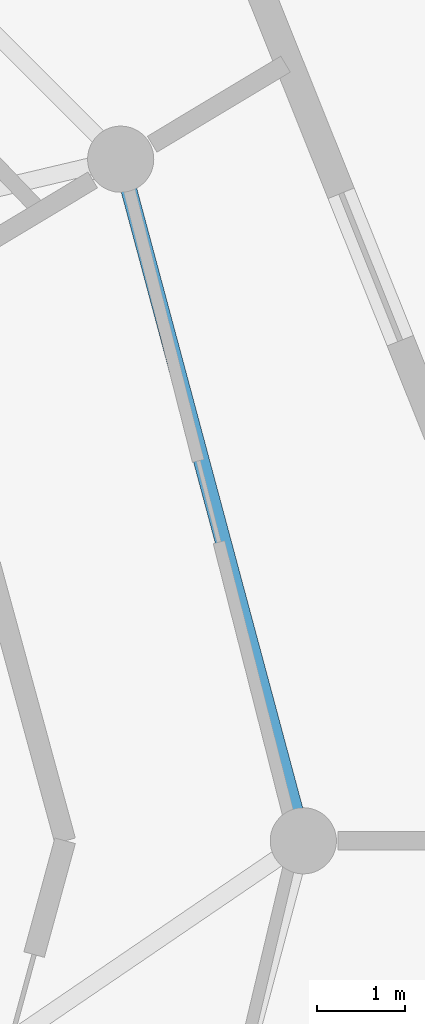
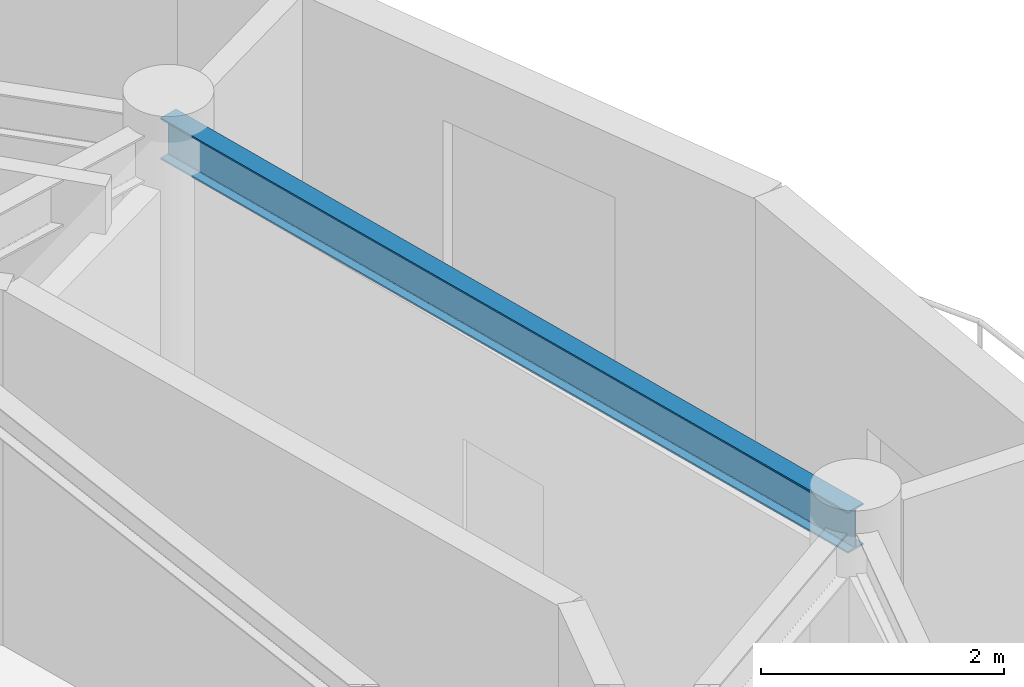
# One storey, part 13 of 22: 1 beam.
"""IFC4 building model written with IfcOpenShell, lengths in metres."""

from ifc_helpers import new_model, si_unit, direction, frame, origin, origin_2d, place, context, subcontext, project, spatial, i_section, extrude, material, material_profile, profile_set, type_object, element, save


model = new_model("IFC4")

# Units and contexts
model_context = context("Model", 3, precision=1e-05, world=origin(), true_north=direction((0.0, 1.0)))
body_context = subcontext(model_context, "Body", "Model", "MODEL_VIEW")
ifc_project = project(units=[si_unit("LENGTHUNIT", "METRE"), si_unit("AREAUNIT", "SQUARE_METRE"), si_unit("VOLUMEUNIT", "CUBIC_METRE"), si_unit("PLANEANGLEUNIT", "RADIAN"), si_unit("MASSUNIT", "GRAM", prefix="KILO")], contexts=[model_context])

# Site, building, storey
site_placement = place(None, origin())
site = spatial("IfcSite", under=ifc_project, at=site_placement, CompositionType="ELEMENT")
building_placement = place(site_placement, origin())
building = spatial("IfcBuilding", under=site, at=building_placement, Name="Solvirekh Grand Hotel", CompositionType="ELEMENT")
storey_placement = place(building_placement, frame((0.0, 0.0, 243.0)))
storey = spatial("IfcBuildingStorey", under=building, at=storey_placement, Name="L63", CompositionType="ELEMENT", Elevation=243.0)

# Beam
ifc_material = material(Name="Steel S355", Category="steel")
ifc_material_profile = material_profile(ifc_material, i_section(OverallWidth=0.180908203125, OverallDepth=0.4169921875, WebThickness=0.010009765625, FlangeThickness=0.01611328125, FilletRadius=0.011962890625, at=origin_2d()), Name="W410X85")
ifc_profile_set = profile_set([ifc_material_profile], Name="Steel S355")
beam_type = type_object("IfcBeamType", Name="Spandrel_Ring_W410", PredefinedType="SPANDREL", material=ifc_profile_set)
beam_placement = place(storey_placement, frame((15.449951171875, 0.0, 3.362060546875), z_axis=(-0.258834757072, 0.965921616143, 0.0), x_axis=(-0.965921616143, -0.258834757072, 0.0)))
element("IfcBeam", 1, at=beam_placement, inside=storey, type_object=beam_type, Name="L63 perimeter spandrel beam 1", PredefinedType="SPANDREL", context=body_context, shape_type="SweptSolid", body=[
    extrude(i_section(OverallWidth=0.180908203125, OverallDepth=0.4169921875, WebThickness=0.010009765625, FlangeThickness=0.01611328125, FilletRadius=0.011962890625, at=origin_2d()), origin(), (0.0, 0.0, 1.0), 7.99755859375),
])

save(model, "model.ifc")
